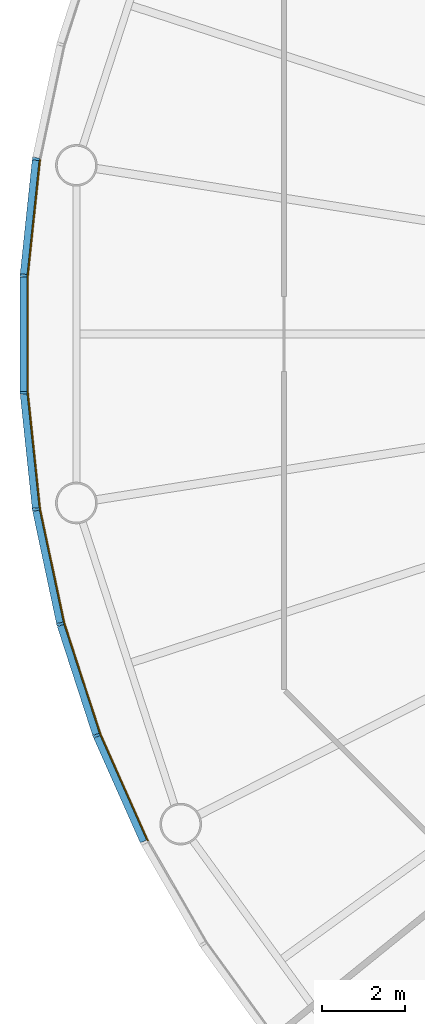
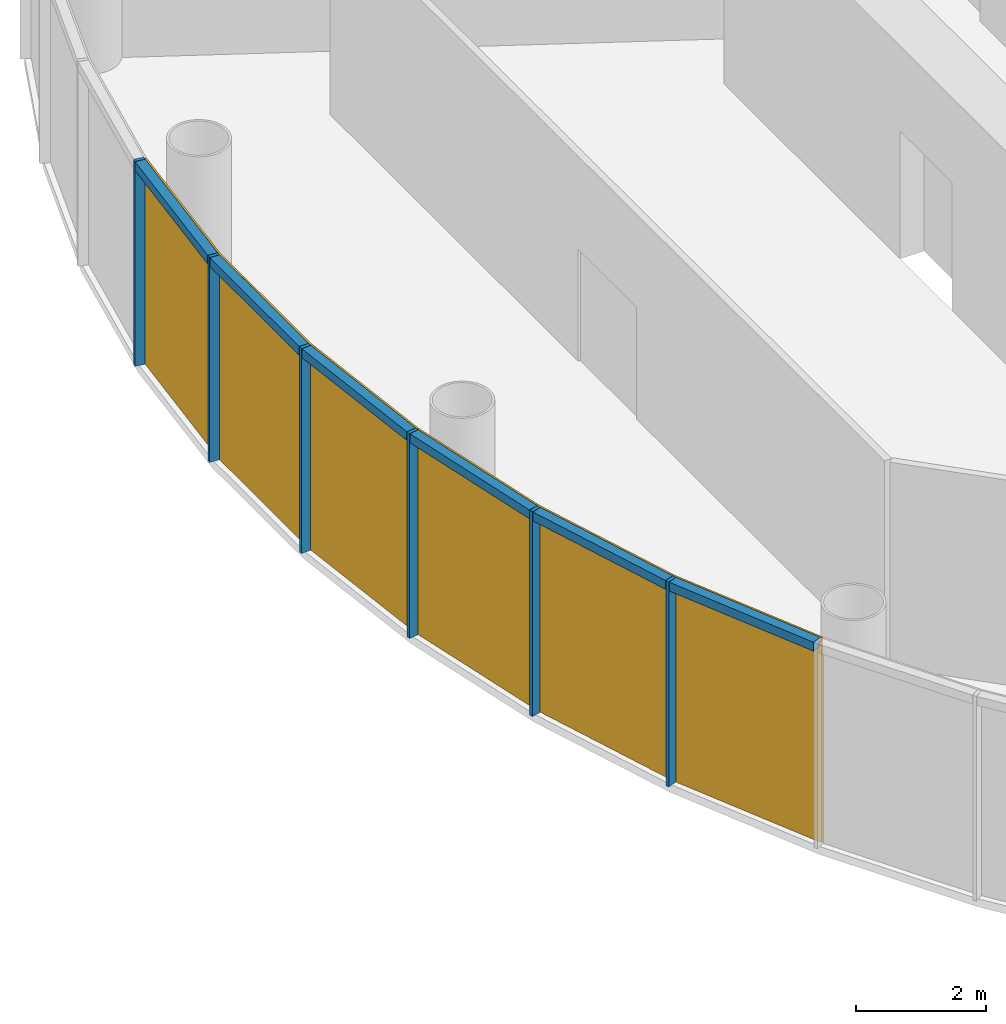
# One storey, part 7 of 12: 12 members, 2 curtain walls.
"""IFC4 building model written with IfcOpenShell, lengths in metres."""

from ifc_helpers import new_model, si_unit, direction, frame, origin, origin_2d, place, context, subcontext, project, spatial, polyline, rectangle, outline, extrude, material, layer, layer_set, material_profile, profile_set, type_object, element, aggregate, save


model = new_model("IFC4")

# Units and contexts
model_context = context("Model", 3, precision=1e-05, world=origin(), true_north=direction((0.0, 1.0)))
body_context = subcontext(model_context, "Body", "Model", "MODEL_VIEW")
ifc_project = project(units=[si_unit("LENGTHUNIT", "METRE"), si_unit("AREAUNIT", "SQUARE_METRE"), si_unit("VOLUMEUNIT", "CUBIC_METRE"), si_unit("PLANEANGLEUNIT", "RADIAN"), si_unit("MASSUNIT", "GRAM", prefix="KILO")], contexts=[model_context])

# Member
ifc_material_1 = material(Name="Anodised aluminium", Category="aluminium")
ifc_material_profile_1 = material_profile(ifc_material_1, rectangle(XDim=0.06005859375, YDim=0.169921875, at=origin_2d()), Name="Mullion 60 x 170 mm anodised aluminium")
ifc_profile_set_1 = profile_set([ifc_material_profile_1], Name="Anodised aluminium")
member_type_1 = type_object("IfcMemberType", Name="Mullion 60 x 170 mm anodised aluminium", PredefinedType="MULLION", material=ifc_profile_set_1)
site_placement = place(None, origin())
building_placement = place(site_placement, origin())
storey_placement = place(building_placement, frame((0.0, 0.0, 242.0)))
member_1_placement = place(storey_placement, frame((63.446044921875, 84.205810546875, 0.0), z_axis=(0.0, 0.0, 1.0), x_axis=(-0.15643446504, -0.987688340595, 0.0)))
member_1 = element("IfcMember", 1, at=member_1_placement, type_object=member_type_1, Name="MULLION L55-27", PredefinedType="MULLION", context=body_context, shape_type="SweptSolid", body=[
    extrude(rectangle(XDim=0.06005859375, YDim=0.169921875, at=origin_2d()), origin(), (0.0, 0.0, 1.0), 3.85009765625),
])

member_2_placement = place(storey_placement, frame((63.15185546875, 81.406982421875, 0.0), z_axis=(0.0, 0.0, 1.0), x_axis=(-0.052335956243, -0.998629534755, 0.0)))
member_2 = element("IfcMember", 2, at=member_2_placement, type_object=member_type_1, Name="MULLION L55-28", PredefinedType="MULLION", context=body_context, shape_type="SweptSolid", body=[
    extrude(rectangle(XDim=0.06005859375, YDim=0.169921875, at=origin_2d()), origin(), (0.0, 0.0, 1.0), 3.85009765625),
])

member_3_placement = place(storey_placement, frame((63.15185546875, 78.593017578125, 0.0), z_axis=(0.0, 0.0, 1.0), x_axis=(0.052335956243, -0.998629534755, 0.0)))
member_3 = element("IfcMember", 3, at=member_3_placement, type_object=member_type_1, Name="MULLION L55-29", PredefinedType="MULLION", context=body_context, shape_type="SweptSolid", body=[
    extrude(rectangle(XDim=0.06005859375, YDim=0.169921875, at=origin_2d()), origin(), (0.0, 0.0, 1.0), 3.85009765625),
])

member_4_placement = place(storey_placement, frame((63.446044921875, 75.794189453125, 0.0), z_axis=(0.0, 0.0, 1.0), x_axis=(0.15643446504, -0.987688340595, 0.0)))
member_4 = element("IfcMember", 4, at=member_4_placement, type_object=member_type_1, Name="MULLION L55-30", PredefinedType="MULLION", context=body_context, shape_type="SweptSolid", body=[
    extrude(rectangle(XDim=0.06005859375, YDim=0.169921875, at=origin_2d()), origin(), (0.0, 0.0, 1.0), 3.85009765625),
])

member_5_placement = place(storey_placement, frame((64.031005859375, 73.041748046875, 0.0), z_axis=(0.0, 0.0, 1.0), x_axis=(0.258819045103, -0.965925826289, 0.0)))
member_5 = element("IfcMember", 5, at=member_5_placement, type_object=member_type_1, Name="MULLION L55-31", PredefinedType="MULLION", context=body_context, shape_type="SweptSolid", body=[
    extrude(rectangle(XDim=0.06005859375, YDim=0.169921875, at=origin_2d()), origin(), (0.0, 0.0, 1.0), 3.85009765625),
])

member_6_placement = place(storey_placement, frame((64.900634765625, 70.365234375, 0.0), z_axis=(0.0, 0.0, 1.0), x_axis=(0.358367949545, -0.933580426497, 0.0)))
member_6 = element("IfcMember", 6, at=member_6_placement, type_object=member_type_1, Name="MULLION L55-32", PredefinedType="MULLION", context=body_context, shape_type="SweptSolid", body=[
    extrude(rectangle(XDim=0.06005859375, YDim=0.169921875, at=origin_2d()), origin(), (0.0, 0.0, 1.0), 3.85009765625),
])

ifc_material_2 = material(Name="Anodised aluminium", Category="aluminium")
ifc_material_profile_2 = material_profile(ifc_material_2, rectangle(XDim=0.169921875, YDim=0.1650390625, at=origin_2d()), Name="Transom 165 x 170 mm anodised aluminium")
ifc_profile_set_2 = profile_set([ifc_material_profile_2], Name="Anodised aluminium")
member_type_2 = type_object("IfcMemberType", Name="Transom 165 x 170 mm anodised aluminium", PredefinedType="USERDEFINED", material=ifc_profile_set_2)
member_7_placement = place(storey_placement, frame((63.4423828125, 84.17138671875, 3.767578125), z_axis=(-0.104592190102, -0.994515195344, 0.0), x_axis=(0.994515195344, -0.104592190102, 0.0)))
member_7 = element("IfcMember", 7, at=member_7_placement, type_object=member_type_2, Name="TRANSOM L55-27", ObjectType="TRANSOM", PredefinedType="USERDEFINED", context=body_context, shape_type="SweptSolid", body=[
    extrude(rectangle(XDim=0.169921875, YDim=0.1650390625, at=origin_2d()), origin(), (0.0, 0.0, 1.0), 2.7451171875),
])

member_8_placement = place(storey_placement, frame((63.151611328125, 81.37255859375, 3.767578125), z_axis=(0.0, -1.0, 0.0), x_axis=(1.0, 0.0, 0.0)))
member_8 = element("IfcMember", 8, at=member_8_placement, type_object=member_type_2, Name="TRANSOM L55-28", ObjectType="TRANSOM", PredefinedType="USERDEFINED", context=body_context, shape_type="SweptSolid", body=[
    extrude(rectangle(XDim=0.169921875, YDim=0.1650390625, at=origin_2d()), origin(), (0.0, 0.0, 1.0), 2.7451171875),
])

member_9_placement = place(storey_placement, frame((63.1552734375, 78.55859375, 3.767578125), z_axis=(0.104592190102, -0.994515195344, 0.0), x_axis=(0.994515195344, 0.104592190102, 0.0)))
member_9 = element("IfcMember", 9, at=member_9_placement, type_object=member_type_2, Name="TRANSOM L55-29", ObjectType="TRANSOM", PredefinedType="USERDEFINED", context=body_context, shape_type="SweptSolid", body=[
    extrude(rectangle(XDim=0.169921875, YDim=0.1650390625, at=origin_2d()), origin(), (0.0, 0.0, 1.0), 2.7451171875),
])

member_10_placement = place(storey_placement, frame((63.453125, 75.760498046875, 3.767578125), z_axis=(0.207937468562, -0.97814212115, 0.0), x_axis=(0.97814212115, 0.207937468562, 0.0)))
member_10 = element("IfcMember", 10, at=member_10_placement, type_object=member_type_2, Name="TRANSOM L55-30", ObjectType="TRANSOM", PredefinedType="USERDEFINED", context=body_context, shape_type="SweptSolid", body=[
    extrude(rectangle(XDim=0.169921875, YDim=0.1650390625, at=origin_2d()), origin(), (0.0, 0.0, 1.0), 2.7451171875),
])

member_11_placement = place(storey_placement, frame((64.04150390625, 73.0087890625, 3.767578125), z_axis=(0.309041831781, -0.951048445774, 0.0), x_axis=(0.951048445774, 0.309041831781, 0.0)))
member_11 = element("IfcMember", 11, at=member_11_placement, type_object=member_type_2, Name="TRANSOM L55-31", ObjectType="TRANSOM", PredefinedType="USERDEFINED", context=body_context, shape_type="SweptSolid", body=[
    extrude(rectangle(XDim=0.169921875, YDim=0.1650390625, at=origin_2d()), origin(), (0.0, 0.0, 1.0), 2.7451171875),
])

member_12_placement = place(storey_placement, frame((64.91455078125, 70.333740234375, 3.767578125), z_axis=(0.406781987391, -0.913525267704, 0.0), x_axis=(0.913525267704, 0.406781987391, 0.0)))
member_12 = element("IfcMember", 12, at=member_12_placement, type_object=member_type_2, Name="TRANSOM L55-32", ObjectType="TRANSOM", PredefinedType="USERDEFINED", context=body_context, shape_type="SweptSolid", body=[
    extrude(rectangle(XDim=0.169921875, YDim=0.1650390625, at=origin_2d()), origin(), (0.0, 0.0, 1.0), 2.7451171875),
])

# Site, building, storey
site = spatial("IfcSite", under=ifc_project, at=site_placement, CompositionType="ELEMENT")
building = spatial("IfcBuilding", under=site, at=building_placement, Name="Entoto Ring Tower", CompositionType="ELEMENT")
storey = spatial("IfcBuildingStorey", under=building, at=storey_placement, Name="L55", CompositionType="ELEMENT", Elevation=242.0)

# Curtain wall
ifc_material_3 = material(Name="Clear low-iron glass", Category="glass")
ifc_layer = layer(ifc_material_3, 0.031982421875)
ifc_layer_set = layer_set([ifc_layer], Name="Clear low-iron glass")
curtain_wall_type = type_object("IfcCurtainWallType", Name="Curtain wall system CW4 glazing 32 mm", PredefinedType="NOTDEFINED", material=ifc_layer_set)
curtain_wall_1_placement = place(storey_placement, origin())
curtain_wall_1 = element("IfcCurtainWall", 13, at=curtain_wall_1_placement, inside=storey, type_object=curtain_wall_type, Name="CW4 L55-10", PredefinedType="NOTDEFINED", context=body_context, shape_type="SweptSolid", body=[
    extrude(outline(polyline([(63.530029296875, 84.1923828125), (63.23681640625, 81.402587890625), (63.23681640625, 78.597412109375), (63.530029296875, 75.8076171875), (63.5615234375, 75.8125), (63.268798828125, 78.59912109375), (63.268798828125, 81.40087890625), (63.5615234375, 84.1875), (63.530029296875, 84.1923828125)])), origin(), (0.0, 0.0, 1.0), 3.85009765625),
])

aggregate(curtain_wall_1, [member_1, member_2, member_3, member_7, member_8, member_9])

curtain_wall_2_placement = place(storey_placement, origin())
curtain_wall_2 = element("IfcCurtainWall", 14, at=curtain_wall_2_placement, inside=storey, type_object=curtain_wall_type, Name="CW4 L55-11", PredefinedType="NOTDEFINED", context=body_context, shape_type="SweptSolid", body=[
    extrude(outline(polyline([(63.530029296875, 75.8076171875), (64.11328125, 73.063720703125), (64.97998046875, 70.395751953125), (66.12109375, 67.8330078125), (66.149658203125, 67.84765625), (65.010009765625, 70.4072265625), (64.14404296875, 73.072021484375), (63.5615234375, 75.8125), (63.530029296875, 75.8076171875)])), origin(), (0.0, 0.0, 1.0), 3.85009765625),
])

aggregate(curtain_wall_2, [member_4, member_5, member_6, member_10, member_11, member_12])

save(model, "model.ifc")
